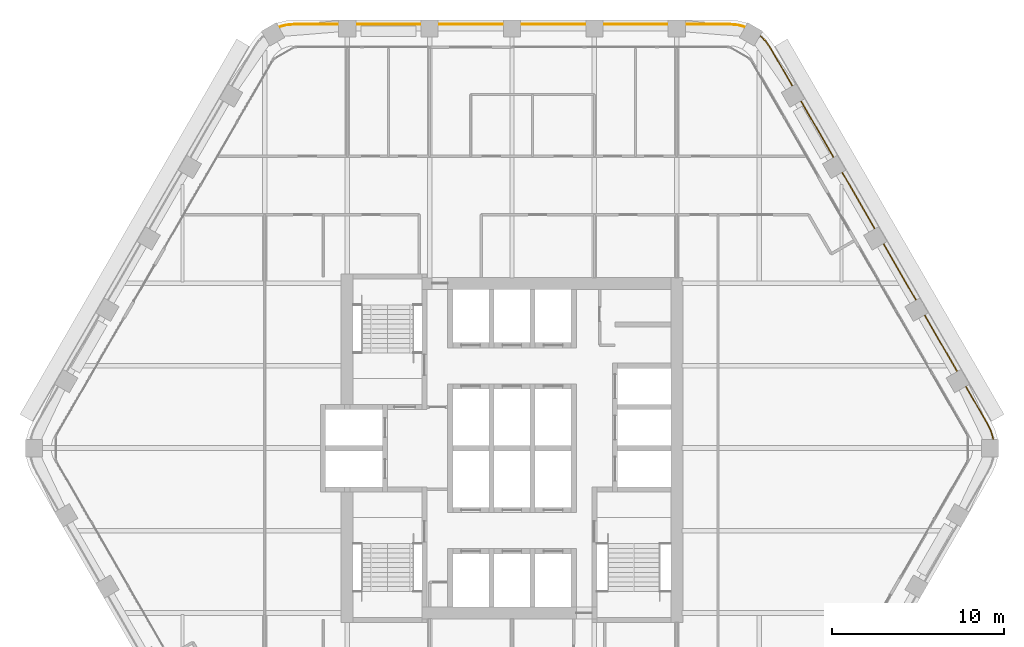
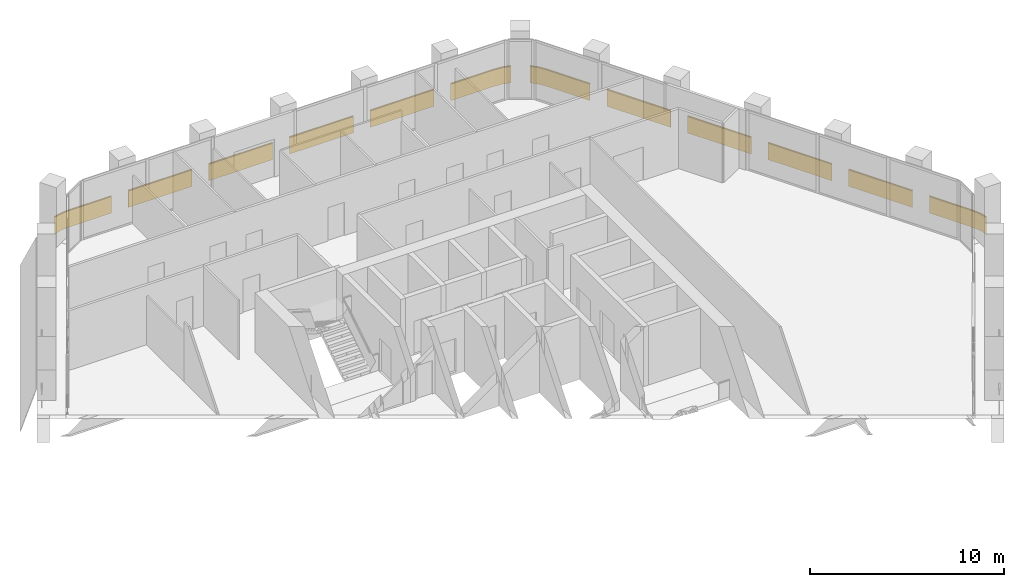
# One storey, part 15 of 15: 2 railings.
"""IFC4 building model written with IfcOpenShell, lengths in metres."""

from ifc_helpers import new_model, si_unit, direction, frame, frame_2d, origin, origin_2d, place, context, subcontext, project, spatial, rectangle, extrude, material, type_object, element, save


model = new_model("IFC4")

# Units and contexts
model_context = context("Model", 3, precision=1e-05, world=origin(), true_north=direction((0.0, 1.0)))
body_context = subcontext(model_context, "Body", "Model", "MODEL_VIEW")
ifc_project = project(units=[si_unit("LENGTHUNIT", "METRE"), si_unit("AREAUNIT", "SQUARE_METRE"), si_unit("VOLUMEUNIT", "CUBIC_METRE"), si_unit("PLANEANGLEUNIT", "RADIAN"), si_unit("MASSUNIT", "GRAM", prefix="KILO")], contexts=[model_context])

# Site, building, storey
site_placement = place(None, origin())
site = spatial("IfcSite", under=ifc_project, at=site_placement, CompositionType="ELEMENT")
building_placement = place(site_placement, origin())
building = spatial("IfcBuilding", under=site, at=building_placement, Name="Kolab Exchange Tower", CompositionType="ELEMENT")
storey_placement = place(building_placement, frame((0.0, 0.0, 173.89990234375)))
storey = spatial("IfcBuildingStorey", under=building, at=storey_placement, Name="L36", CompositionType="ELEMENT", Elevation=173.89990234375)

# Railings
ifc_material = material(Name="Steel S235", Category="steel")
railing_type = type_object("IfcRailingType", Name="GUARD 1100 GLASS BALUSTRADE AND STEEL TOP RAIL", PredefinedType="GUARDRAIL", material=ifc_material)
railing_1_placement = place(storey_placement, frame((13.588623046875, 24.531005859375, 0.0)))
element("IfcRailing", 1, at=railing_1_placement, inside=storey, type_object=railing_type, Name="Guard", PredefinedType="GUARDRAIL", context=body_context, shape_type="SweptSolid", body=[
    extrude(rectangle(XDim=0.05, YDim=0.05, at=origin_2d()), frame((0.0, 0.0, 1.0751953125), z_axis=(-0.965969425465, 0.25865627591, 0.0), x_axis=(-0.25865627591, -0.965969425465, 0.0)), (0.0, 0.0, 1.0), 0.458740234375),
    extrude(rectangle(XDim=0.012, YDim=1.05009765625, at=frame_2d((0.0, 0.525146484375))), frame((0.0, 0.0, 0.0), z_axis=(-0.965969425465, 0.25865627591, 0.0), x_axis=(-0.25865627591, -0.965969425465, 0.0)), (0.0, 0.0, 1.0), 0.458740234375),
    extrude(rectangle(XDim=0.05, YDim=0.05, at=origin_2d()), frame((-0.443115234375, 0.11865234375, 1.0751953125), z_axis=(-0.996156034798, 0.087596542937, 0.0), x_axis=(-0.087596542937, -0.996156034798, 0.0)), (0.0, 0.0, 1.0), 0.4794921875),
    extrude(rectangle(XDim=0.012, YDim=1.05009765625, at=frame_2d((0.0, 0.525146484375))), frame((-0.443115234375, 0.11865234375, 0.0), z_axis=(-0.996156034798, 0.087596542937, 0.0), x_axis=(-0.087596542937, -0.996156034798, 0.0)), (0.0, 0.0, 1.0), 0.4794921875),
    extrude(rectangle(XDim=0.05, YDim=0.05, at=origin_2d()), frame((-0.920654296875, 0.16064453125, 1.0751953125), z_axis=(-1.0, 0.0, 0.0), x_axis=(0.0, -1.0, 0.0)), (0.0, 0.0, 1.0), 2.56787109375),
    extrude(rectangle(XDim=0.012, YDim=1.05009765625, at=frame_2d((0.0, 0.525146484375))), frame((-0.920654296875, 0.16064453125, 0.0), z_axis=(-1.0, 0.0, 0.0), x_axis=(0.0, -1.0, 0.0)), (0.0, 0.0, 1.0), 2.56787109375),
    extrude(rectangle(XDim=0.05, YDim=0.05, at=origin_2d()), frame((-4.488525390625, 0.16064453125, 1.0751953125), z_axis=(-1.0, 0.0, 0.0), x_axis=(0.0, -1.0, 0.0)), (0.0, 0.0, 1.0), 3.800048828125),
    extrude(rectangle(XDim=0.012, YDim=1.05009765625, at=frame_2d((0.0, 0.525146484375))), frame((-4.488525390625, 0.16064453125, 0.0), z_axis=(-1.0, 0.0, 0.0), x_axis=(0.0, -1.0, 0.0)), (0.0, 0.0, 1.0), 3.800048828125),
    extrude(rectangle(XDim=0.05, YDim=0.05, at=origin_2d()), frame((-9.28857421875, 0.16064453125, 1.0751953125), z_axis=(-1.0, 0.0, 0.0), x_axis=(0.0, -1.0, 0.0)), (0.0, 0.0, 1.0), 3.800048828125),
    extrude(rectangle(XDim=0.012, YDim=1.05009765625, at=frame_2d((0.0, 0.525146484375))), frame((-9.28857421875, 0.16064453125, 0.0), z_axis=(-1.0, 0.0, 0.0), x_axis=(0.0, -1.0, 0.0)), (0.0, 0.0, 1.0), 3.800048828125),
    extrude(rectangle(XDim=0.05, YDim=0.05, at=origin_2d()), frame((-14.088623046875, 0.16064453125, 1.0751953125), z_axis=(-1.0, 0.0, 0.0), x_axis=(0.0, -1.0, 0.0)), (0.0, 0.0, 1.0), 3.800048828125),
    extrude(rectangle(XDim=0.012, YDim=1.05009765625, at=frame_2d((0.0, 0.525146484375))), frame((-14.088623046875, 0.16064453125, 0.0), z_axis=(-1.0, 0.0, 0.0), x_axis=(0.0, -1.0, 0.0)), (0.0, 0.0, 1.0), 3.800048828125),
    extrude(rectangle(XDim=0.05, YDim=0.05, at=origin_2d()), frame((-18.888671875, 0.16064453125, 1.0751953125), z_axis=(-1.0, 0.0, 0.0), x_axis=(0.0, -1.0, 0.0)), (0.0, 0.0, 1.0), 3.800048828125),
    extrude(rectangle(XDim=0.012, YDim=1.05009765625, at=frame_2d((0.0, 0.525146484375))), frame((-18.888671875, 0.16064453125, 0.0), z_axis=(-1.0, 0.0, 0.0), x_axis=(0.0, -1.0, 0.0)), (0.0, 0.0, 1.0), 3.800048828125),
    extrude(rectangle(XDim=0.05, YDim=0.05, at=origin_2d()), frame((-23.688720703125, 0.16064453125, 1.0751953125), z_axis=(-1.0, 0.0, 0.0), x_axis=(0.0, -1.0, 0.0)), (0.0, 0.0, 1.0), 2.56787109375),
    extrude(rectangle(XDim=0.012, YDim=1.05009765625, at=frame_2d((0.0, 0.525146484375))), frame((-23.688720703125, 0.16064453125, 0.0), z_axis=(-1.0, 0.0, 0.0), x_axis=(0.0, -1.0, 0.0)), (0.0, 0.0, 1.0), 2.56787109375),
    extrude(rectangle(XDim=0.05, YDim=0.05, at=origin_2d()), frame((-26.256591796875, 0.16064453125, 1.0751953125), z_axis=(-0.996156034798, -0.087596542937, 0.0), x_axis=(0.087596542937, -0.996156034798, 0.0)), (0.0, 0.0, 1.0), 0.4794921875),
    extrude(rectangle(XDim=0.012, YDim=1.05009765625, at=frame_2d((0.0, 0.525146484375))), frame((-26.256591796875, 0.16064453125, 0.0), z_axis=(-0.996156034798, -0.087596542937, 0.0), x_axis=(0.087596542937, -0.996156034798, 0.0)), (0.0, 0.0, 1.0), 0.4794921875),
    extrude(rectangle(XDim=0.05, YDim=0.05, at=origin_2d()), frame((-26.734130859375, 0.11865234375, 1.0751953125), z_axis=(-0.965969425465, -0.25865627591, 0.0), x_axis=(0.25865627591, -0.965969425465, 0.0)), (0.0, 0.0, 1.0), 0.458740234375),
    extrude(rectangle(XDim=0.012, YDim=1.05009765625, at=frame_2d((0.0, 0.525146484375))), frame((-26.734130859375, 0.11865234375, 0.0), z_axis=(-0.965969425465, -0.25865627591, 0.0), x_axis=(0.25865627591, -0.965969425465, 0.0)), (0.0, 0.0, 1.0), 0.458740234375),
])
railing_2_placement = place(storey_placement, frame((28.038818359375, 0.49755859375, 0.0)))
element("IfcRailing", 2, at=railing_2_placement, inside=storey, type_object=railing_type, Name="Guard", PredefinedType="GUARDRAIL", context=body_context, shape_type="SweptSolid", body=[
    extrude(rectangle(XDim=0.05, YDim=0.05, at=origin_2d()), frame((0.0, 0.0, 1.0751953125), z_axis=(-0.25865627591, 0.965969425465, 0.0), x_axis=(-0.965969425465, -0.25865627591, 0.0)), (0.0, 0.0, 1.0), 0.458740234375),
    extrude(rectangle(XDim=0.012, YDim=1.05009765625, at=frame_2d((0.0, 0.525146484375))), frame((0.0, 0.0, 0.0), z_axis=(-0.25865627591, 0.965969425465, 0.0), x_axis=(-0.965969425465, -0.25865627591, 0.0)), (0.0, 0.0, 1.0), 0.458740234375),
    extrude(rectangle(XDim=0.05, YDim=0.05, at=origin_2d()), frame((-0.11865234375, 0.443115234375, 1.0751953125), z_axis=(-0.422801802984, 0.906222177721, 0.0), x_axis=(-0.906222177721, -0.422801802984, 0.0)), (0.0, 0.0, 1.0), 0.479248046875),
    extrude(rectangle(XDim=0.012, YDim=1.05009765625, at=frame_2d((0.0, 0.525146484375))), frame((-0.11865234375, 0.443115234375, 0.0), z_axis=(-0.422801802984, 0.906222177721, 0.0), x_axis=(-0.906222177721, -0.422801802984, 0.0)), (0.0, 0.0, 1.0), 0.479248046875),
    extrude(rectangle(XDim=0.05, YDim=0.05, at=origin_2d()), frame((-0.3212890625, 0.87744140625, 1.0751953125), z_axis=(-0.499994038704, 0.866028845513, 0.0), x_axis=(-0.866028845513, -0.499994038704, 0.0)), (0.0, 0.0, 1.0), 2.56787109375),
    extrude(rectangle(XDim=0.012, YDim=1.05009765625, at=frame_2d((0.0, 0.525146484375))), frame((-0.3212890625, 0.87744140625, 0.0), z_axis=(-0.499994038704, 0.866028845513, 0.0), x_axis=(-0.866028845513, -0.499994038704, 0.0)), (0.0, 0.0, 1.0), 2.56787109375),
    extrude(rectangle(XDim=0.05, YDim=0.05, at=origin_2d()), frame((-2.105224609375, 3.96728515625, 1.0751953125), z_axis=(-0.500015340139, 0.86601654697, 0.0), x_axis=(-0.86601654697, -0.500015340139, 0.0)), (0.0, 0.0, 1.0), 3.80029296875),
    extrude(rectangle(XDim=0.012, YDim=1.05009765625, at=frame_2d((0.0, 0.525146484375))), frame((-2.105224609375, 3.96728515625, 0.0), z_axis=(-0.500015340139, 0.86601654697, 0.0), x_axis=(-0.86601654697, -0.500015340139, 0.0)), (0.0, 0.0, 1.0), 3.80029296875),
    extrude(rectangle(XDim=0.05, YDim=0.05, at=origin_2d()), frame((-4.50537109375, 8.124267578125, 1.0751953125), z_axis=(-0.499967155389, 0.866044365799, 0.0), x_axis=(-0.866044365799, -0.499967155389, 0.0)), (0.0, 0.0, 1.0), 3.800048828125),
    extrude(rectangle(XDim=0.012, YDim=1.05009765625, at=frame_2d((0.0, 0.525146484375))), frame((-4.50537109375, 8.124267578125, 0.0), z_axis=(-0.499967155389, 0.866044365799, 0.0), x_axis=(-0.866044365799, -0.499967155389, 0.0)), (0.0, 0.0, 1.0), 3.800048828125),
    extrude(rectangle(XDim=0.05, YDim=0.05, at=origin_2d()), frame((-6.9052734375, 12.28125, 1.0751953125), z_axis=(-0.500043160704, 0.866000483506, 0.0), x_axis=(-0.866000483506, -0.500043160704, 0.0)), (0.0, 0.0, 1.0), 3.800048828125),
    extrude(rectangle(XDim=0.012, YDim=1.05009765625, at=frame_2d((0.0, 0.525146484375))), frame((-6.9052734375, 12.28125, 0.0), z_axis=(-0.500043160704, 0.866000483506, 0.0), x_axis=(-0.866000483506, -0.500043160704, 0.0)), (0.0, 0.0, 1.0), 3.800048828125),
    extrude(rectangle(XDim=0.05, YDim=0.05, at=origin_2d()), frame((-9.305419921875, 16.438232421875, 1.0751953125), z_axis=(-0.499994975061, 0.866028304915, 0.0), x_axis=(-0.866028304915, -0.499994975061, 0.0)), (0.0, 0.0, 1.0), 3.7998046875),
    extrude(rectangle(XDim=0.012, YDim=1.05009765625, at=frame_2d((0.0, 0.525146484375))), frame((-9.305419921875, 16.438232421875, 0.0), z_axis=(-0.499994975061, 0.866028304915, 0.0), x_axis=(-0.866028304915, -0.499994975061, 0.0)), (0.0, 0.0, 1.0), 3.7998046875),
    extrude(rectangle(XDim=0.05, YDim=0.05, at=origin_2d()), frame((-11.705322265625, 20.594970703125, 1.0751953125), z_axis=(-0.499952873616, 0.866052610505, 0.0), x_axis=(-0.866052610505, -0.499952873616, 0.0)), (0.0, 0.0, 1.0), 2.568115234375),
    extrude(rectangle(XDim=0.012, YDim=1.05009765625, at=frame_2d((0.0, 0.525146484375))), frame((-11.705322265625, 20.594970703125, 0.0), z_axis=(-0.499952873616, 0.866052610505, 0.0), x_axis=(-0.866052610505, -0.499952873616, 0.0)), (0.0, 0.0, 1.0), 2.568115234375),
    extrude(rectangle(XDim=0.05, YDim=0.05, at=origin_2d()), frame((-12.9892578125, 22.819091796875, 1.0751953125), z_axis=(-0.573599091554, 0.819136180478, 0.0), x_axis=(-0.819136180478, -0.573599091554, 0.0)), (0.0, 0.0, 1.0), 0.479248046875),
    extrude(rectangle(XDim=0.012, YDim=1.05009765625, at=frame_2d((0.0, 0.525146484375))), frame((-12.9892578125, 22.819091796875, 0.0), z_axis=(-0.573599091554, 0.819136180478, 0.0), x_axis=(-0.819136180478, -0.573599091554, 0.0)), (0.0, 0.0, 1.0), 0.479248046875),
    extrude(rectangle(XDim=0.05, YDim=0.05, at=origin_2d()), frame((-13.26416015625, 23.211669921875, 1.0751953125), z_axis=(-0.70737286085, 0.706840601361, 0.0), x_axis=(-0.706840601361, -0.70737286085, 0.0)), (0.0, 0.0, 1.0), 0.458740234375),
    extrude(rectangle(XDim=0.012, YDim=1.05009765625, at=frame_2d((0.0, 0.525146484375))), frame((-13.26416015625, 23.211669921875, 0.0), z_axis=(-0.70737286085, 0.706840601361, 0.0), x_axis=(-0.706840601361, -0.70737286085, 0.0)), (0.0, 0.0, 1.0), 0.458740234375),
])

save(model, "model.ifc")
